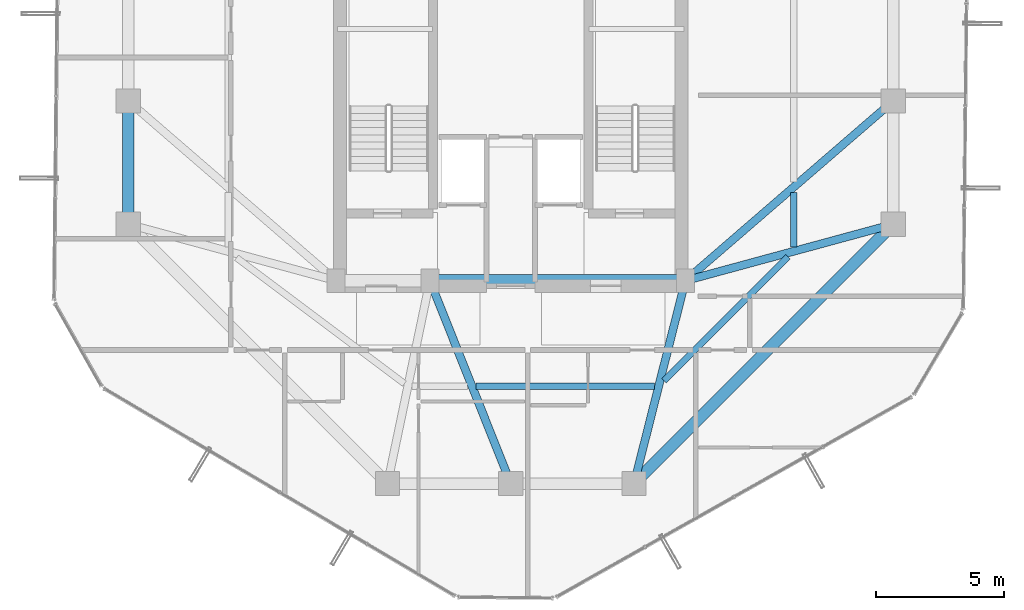
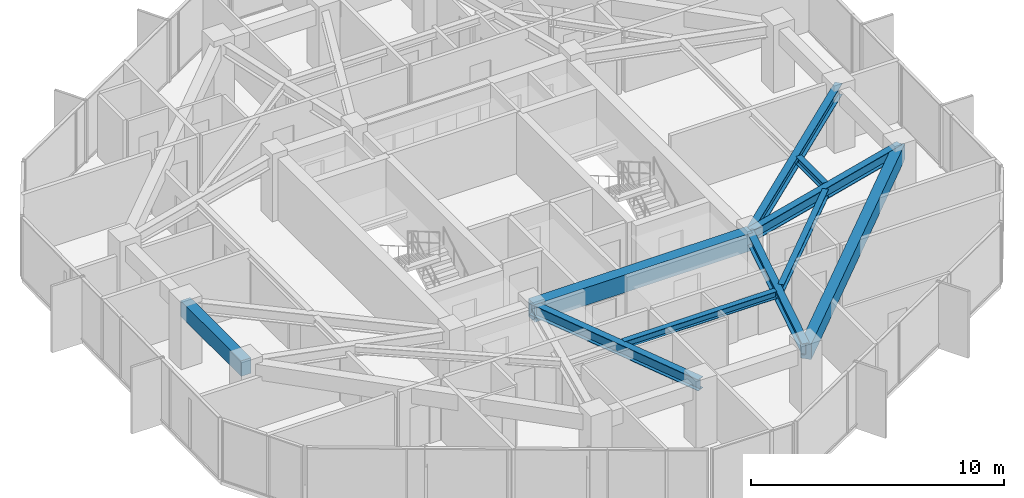
# One storey, part 9 of 30: 10 beams.
"""IFC4 building model written with IfcOpenShell, lengths in metres."""

from ifc_helpers import new_model, si_unit, direction, frame, origin, origin_2d, place, context, subcontext, project, spatial, rectangle, i_section, extrude, material, material_profile, profile_set, type_object, element, save


model = new_model("IFC4")

# Units and contexts
model_context = context("Model", 3, precision=1e-05, world=origin(), true_north=direction((0.0, 1.0)))
body_context = subcontext(model_context, "Body", "Model", "MODEL_VIEW")
ifc_project = project(units=[si_unit("LENGTHUNIT", "METRE"), si_unit("AREAUNIT", "SQUARE_METRE"), si_unit("VOLUMEUNIT", "CUBIC_METRE"), si_unit("PLANEANGLEUNIT", "RADIAN"), si_unit("MASSUNIT", "GRAM", prefix="KILO")], contexts=[model_context])

# Site, building, storey
site_placement = place(None, origin())
site = spatial("IfcSite", under=ifc_project, at=site_placement, CompositionType="ELEMENT")
building_placement = place(site_placement, origin())
building = spatial("IfcBuilding", under=site, at=building_placement, Name="Veraguas Prism Commons", CompositionType="ELEMENT")
storey_placement = place(building_placement, frame((0.0, 0.0, 208.10009765625)))
storey = spatial("IfcBuildingStorey", under=building, at=storey_placement, Name="L59", CompositionType="ELEMENT", Elevation=208.10009765625)

# Beams
ifc_material_1 = material(Name="Concrete C50/60", Category="concrete")
ifc_material_profile_1 = material_profile(ifc_material_1, rectangle(XDim=0.5, YDim=0.85009765625, at=origin_2d()), Name="RC500X850")
ifc_profile_set_1 = profile_set([ifc_material_profile_1], Name="Concrete C50/60")
beam_type_1 = type_object("IfcBeamType", Name="Core Coupling Beam RC 500x850", PredefinedType="BEAM", material=ifc_profile_set_1)
beam_1_placement = place(storey_placement, frame((20.85009765625, 17.0, 2.544921875), z_axis=(1.0, 0.0, 0.0), x_axis=(0.0, 1.0, 0.0)))
element("IfcBeam", 1, at=beam_1_placement, inside=storey, type_object=beam_type_1, Name="Core Coupling Beam L59-CRS2", PredefinedType="BEAM", context=body_context, shape_type="SweptSolid", body=[
    extrude(rectangle(XDim=0.5, YDim=0.85009765625, at=origin_2d()), origin(), (0.0, 0.0, 1.0), 9.949951171875),
])
ifc_material_profile_2 = material_profile(ifc_material_1, rectangle(XDim=0.449951171875, YDim=0.75, at=origin_2d()), Name="RC450X750")
ifc_profile_set_2 = profile_set([ifc_material_profile_2], Name="Concrete C50/60")
beam_type_2 = type_object("IfcBeamType", Name="Perimeter Spandrel Upper RC 450x750", PredefinedType="SPANDREL", material=ifc_profile_set_2)
beam_2_placement = place(storey_placement, frame((9.10009765625, 24.0, 2.594970703125), z_axis=(0.0, -1.0, 0.0), x_axis=(1.0, 0.0, 0.0)))
element("IfcBeam", 2, at=beam_2_placement, inside=storey, type_object=beam_type_2, Name="Perimeter Spandrel Beam L59-SP08", PredefinedType="SPANDREL", context=body_context, shape_type="SweptSolid", body=[
    extrude(rectangle(XDim=0.449951171875, YDim=0.75, at=origin_2d()), origin(), (0.0, 0.0, 1.0), 4.800048828125),
])
beam_3_placement = place(storey_placement, frame((28.800048828125, 9.10009765625, 2.594970703125), z_axis=(0.707106781187, 0.707106781187, 0.0), x_axis=(-0.707106781187, 0.707106781187, 0.0)))
element("IfcBeam", 3, at=beam_3_placement, inside=storey, type_object=beam_type_2, Name="Perimeter Spandrel Beam L59-SP12", PredefinedType="SPANDREL", context=body_context, shape_type="SweptSolid", body=[
    extrude(rectangle(XDim=0.449951171875, YDim=0.75, at=origin_2d()), origin(), (0.0, 0.0, 1.0), 14.283447265625),
])
ifc_material_2 = material(Name="Steel ASTM A992 Grade 50", Category="steel")
ifc_material_profile_3 = material_profile(ifc_material_2, i_section(OverallWidth=0.25390625, OverallDepth=0.35302734375, WebThickness=0.009521484375, FlangeThickness=0.016357421875, at=origin_2d()), Name="W360X91")
ifc_profile_set_3 = profile_set([ifc_material_profile_3], Name="Steel ASTM A992 Grade 50")
beam_type_3 = type_object("IfcBeamType", Name="Upper Floor Joist W360x91", PredefinedType="JOIST", material=ifc_profile_set_3)
beam_4_placement = place(storey_placement, frame((35.011962890625, 18.302978515625, 2.79345703125), z_axis=(0.0, 1.0, 0.0), x_axis=(-1.0, 0.0, 0.0)))
element("IfcBeam", 4, at=beam_4_placement, inside=storey, type_object=beam_type_3, Name="Composite Floor Joist L59-JS01", PredefinedType="JOIST", context=body_context, shape_type="SweptSolid", body=[
    extrude(i_section(OverallWidth=0.25390625, OverallDepth=0.35302734375, WebThickness=0.009521484375, FlangeThickness=0.016357421875, at=origin_2d()), origin(), (0.0, 0.0, 1.0), 2.134033203125),
])
beam_5_placement = place(storey_placement, frame((22.6533203125, 12.89208984375, 2.79345703125), z_axis=(1.0, 0.0, 0.0), x_axis=(0.0, 1.0, 0.0)))
element("IfcBeam", 5, at=beam_5_placement, inside=storey, type_object=beam_type_3, Name="Composite Floor Joist L59-JS11", PredefinedType="JOIST", context=body_context, shape_type="SweptSolid", body=[
    extrude(i_section(OverallWidth=0.25390625, OverallDepth=0.35302734375, WebThickness=0.009521484375, FlangeThickness=0.016357421875, at=origin_2d()), origin(), (0.0, 0.0, 1.0), 6.948486328125),
])
beam_6_placement = place(storey_placement, frame((29.971923828125, 13.10400390625, 2.79345703125), z_axis=(0.707124682851, 0.707088879069, 0.0), x_axis=(-0.707088879069, 0.707124682851, 0.0)))
element("IfcBeam", 6, at=beam_6_placement, inside=storey, type_object=beam_type_3, Name="Composite Floor Joist L59-JS12", PredefinedType="JOIST", context=body_context, shape_type="SweptSolid", body=[
    extrude(i_section(OverallWidth=0.25390625, OverallDepth=0.35302734375, WebThickness=0.009521484375, FlangeThickness=0.016357421875, at=origin_2d()), origin(), (0.0, 0.0, 1.0), 6.81884765625),
])
ifc_material_profile_4 = material_profile(ifc_material_2, i_section(OverallWidth=0.31103515625, OverallDepth=0.5458984375, WebThickness=0.0146484375, FlangeThickness=0.023681640625, at=origin_2d()), Name="W530X165")
ifc_profile_set_4 = profile_set([ifc_material_profile_4], Name="Steel ASTM A992 Grade 50")
beam_type_4 = type_object("IfcBeamType", Name="Zone 3 Radial Girder W530x165", PredefinedType="BEAM", material=ifc_profile_set_4)
beam_7_placement = place(storey_placement, frame((38.89990234375, 19.199951171875, 2.697021484375), z_axis=(-0.965038506703, -0.262108146725, 0.0), x_axis=(0.262108146725, -0.965038506703, 0.0)))
element("IfcBeam", 7, at=beam_7_placement, inside=storey, type_object=beam_type_4, Name="Radial Floor Girder L59-RD01", PredefinedType="BEAM", context=body_context, shape_type="SweptSolid", body=[
    extrude(i_section(OverallWidth=0.31103515625, OverallDepth=0.5458984375, WebThickness=0.0146484375, FlangeThickness=0.023681640625, at=origin_2d()), origin(), (0.0, 0.0, 1.0), 8.393310546875),
])
beam_8_placement = place(storey_placement, frame((38.89990234375, 24.0, 2.697021484375), z_axis=(-0.756607086554, -0.653869800936, 0.0), x_axis=(0.653869800936, -0.756607086554, 0.0)))
element("IfcBeam", 8, at=beam_8_placement, inside=storey, type_object=beam_type_4, Name="Radial Floor Girder L59-RD02", PredefinedType="BEAM", context=body_context, shape_type="SweptSolid", body=[
    extrude(i_section(OverallWidth=0.31103515625, OverallDepth=0.5458984375, WebThickness=0.0146484375, FlangeThickness=0.023681640625, at=origin_2d()), origin(), (0.0, 0.0, 1.0), 10.70556640625),
])
beam_9_placement = place(storey_placement, frame((24.0, 9.10009765625, 2.697021484375), z_axis=(-0.370370877803, 0.928883960931, 0.0), x_axis=(-0.928883960931, -0.370370877803, 0.0)))
element("IfcBeam", 9, at=beam_9_placement, inside=storey, type_object=beam_type_4, Name="Radial Floor Girder L59-RD11", PredefinedType="BEAM", context=body_context, shape_type="SweptSolid", body=[
    extrude(i_section(OverallWidth=0.31103515625, OverallDepth=0.5458984375, WebThickness=0.0146484375, FlangeThickness=0.023681640625, at=origin_2d()), origin(), (0.0, 0.0, 1.0), 8.504638671875),
])
beam_10_placement = place(storey_placement, frame((28.800048828125, 9.10009765625, 2.697021484375), z_axis=(0.245424718066, 0.969415652732, 0.0), x_axis=(-0.969415652732, 0.245424718066, 0.0)))
element("IfcBeam", 10, at=beam_10_placement, inside=storey, type_object=beam_type_4, Name="Radial Floor Girder L59-RD12", PredefinedType="BEAM", context=body_context, shape_type="SweptSolid", body=[
    extrude(i_section(OverallWidth=0.31103515625, OverallDepth=0.5458984375, WebThickness=0.0146484375, FlangeThickness=0.023681640625, at=origin_2d()), origin(), (0.0, 0.0, 1.0), 8.149169921875),
])

save(model, "model.ifc")
